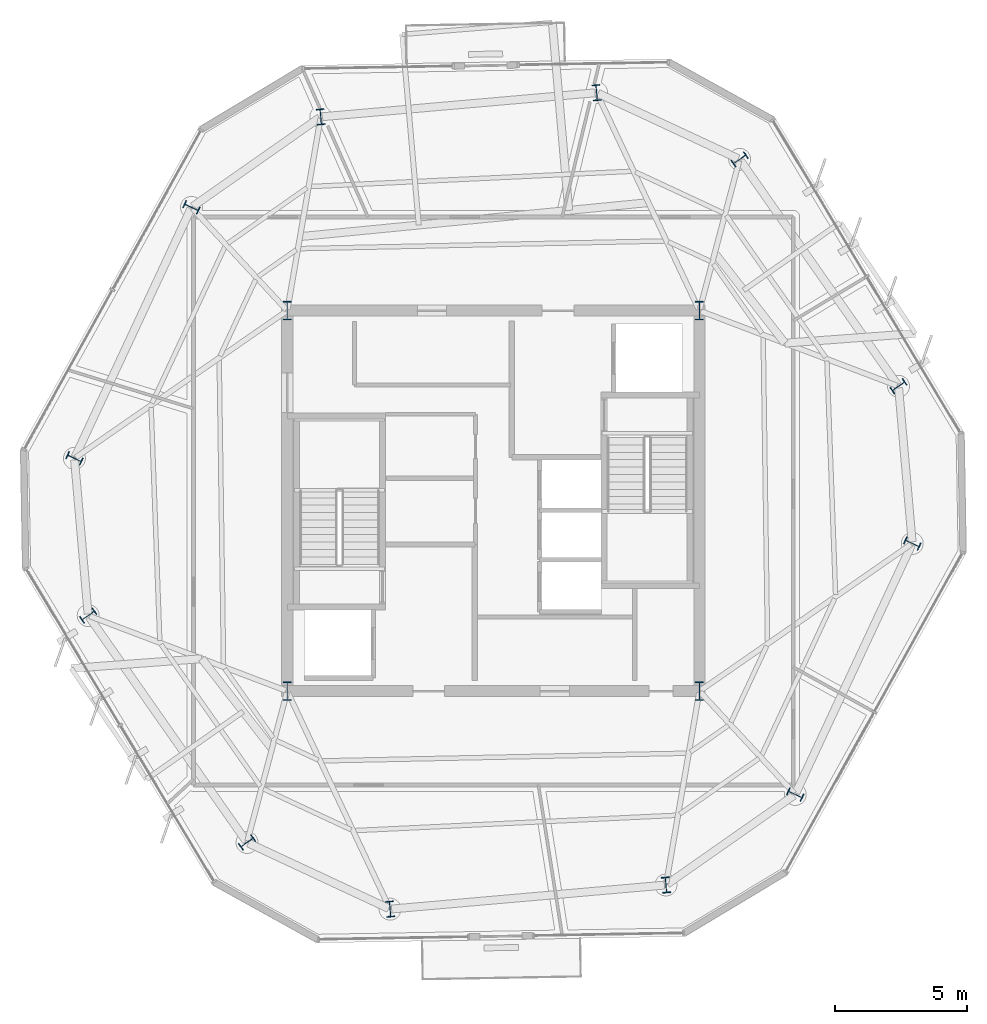
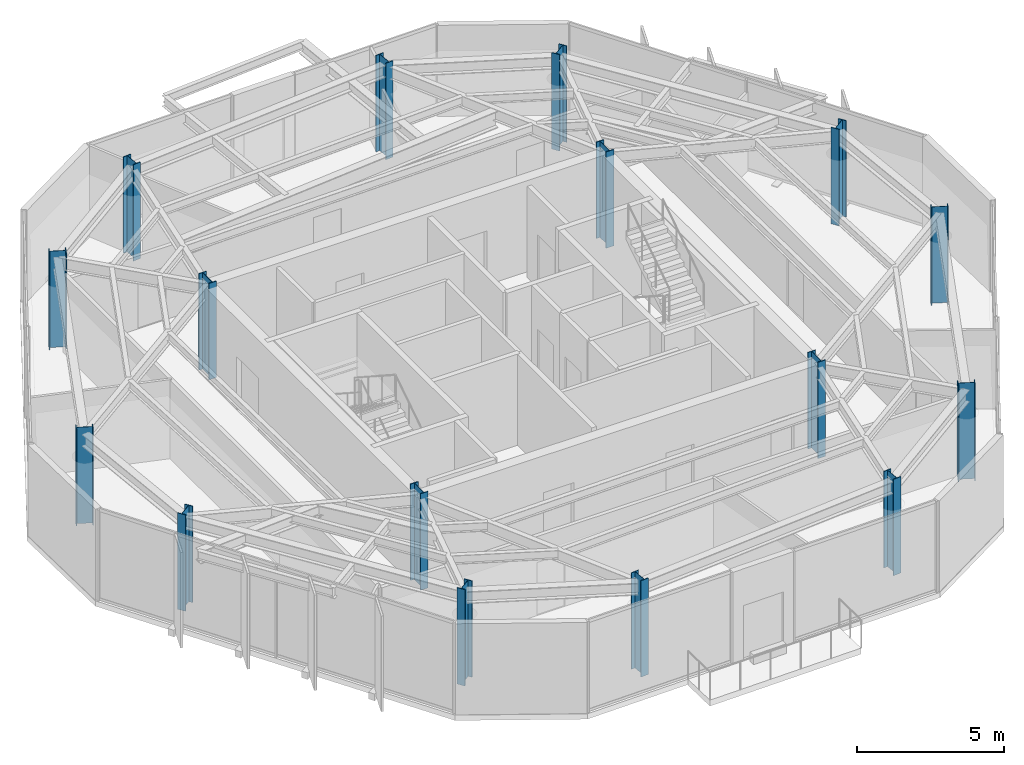
# One storey, part 1 of 12: 16 columns.
"""IFC4 building model written with IfcOpenShell, lengths in metres."""

from ifc_helpers import new_model, si_unit, direction, frame, origin, origin_2d, place, context, subcontext, project, spatial, i_section, extrude, material, material_profile, profile_set, type_object, element, save


model = new_model("IFC4")

# Units and contexts
model_context = context("Model", 3, precision=1e-05, world=origin(), true_north=direction((0.0, 1.0)))
body_context = subcontext(model_context, "Body", "Model", "MODEL_VIEW")
ifc_project = project(units=[si_unit("LENGTHUNIT", "METRE"), si_unit("AREAUNIT", "SQUARE_METRE"), si_unit("VOLUMEUNIT", "CUBIC_METRE"), si_unit("PLANEANGLEUNIT", "RADIAN"), si_unit("MASSUNIT", "GRAM", prefix="KILO")], contexts=[model_context])

# Site, building, storey
site_placement = place(None, origin())
site = spatial("IfcSite", under=ifc_project, at=site_placement, CompositionType="ELEMENT")
building_placement = place(site_placement, origin())
building = spatial("IfcBuilding", under=site, at=building_placement, Name="Kranzbogen Civic Tower", CompositionType="ELEMENT")
storey_placement = place(building_placement, frame((0.0, 0.0, 270.199951171875)))
storey = spatial("IfcBuildingStorey", under=building, at=storey_placement, Name="L65", CompositionType="ELEMENT", Elevation=270.199951171875)

# Columns
ifc_material = material(Name="Steel S355", Category="steel")
ifc_material_profile_1 = material_profile(ifc_material, i_section(OverallWidth=0.300048828125, OverallDepth=0.60009765625, WebThickness=0.015380859375, FlangeThickness=0.030029296875, at=origin_2d()), Name="HEB 600")
ifc_profile_set_1 = profile_set([ifc_material_profile_1], Name="Steel S355")
column_type_1 = type_object("IfcColumnType", Name="Structural Column HEB 600", PredefinedType="COLUMN", material=ifc_profile_set_1)
for number, where, z_axis, x_axis, name in (
    (1, (28.908935546875, 40.449951171875, 0.0), (0.0, 0.0, 1.0), (0.996194698092, 0.087155742748, 0.0), "L65 tower perimeter tube column 01"),
    (2, (18.467041015625, 39.535888671875, 0.0), (0.0, 0.0, 1.0), (0.996194698092, 0.087155742748, 0.0), "L65 tower perimeter tube column 02"),
    (3, (13.574951171875, 36.110107421875, 0.0), (0.0, 0.0, 1.0), (0.422618261741, 0.906307787037, 0.0), "L65 tower perimeter tube column 03"),
    (4, (9.14501953125, 26.610107421875, 0.0), (0.0, 0.0, 1.0), (0.422618261741, 0.906307787037, 0.0), "L65 tower perimeter tube column 04"),
    (5, (9.666015625, 20.660888671875, 0.0), (0.0, 0.0, 1.0), (-0.573576436351, 0.819152044289, 0.0), "L65 tower perimeter tube column 05"),
    (6, (15.677978515625, 12.073974609375, 0.0), (0.0, 0.0, 1.0), (-0.573576436351, 0.819152044289, 0.0), "L65 tower perimeter tube column 06"),
    (7, (21.091064453125, 9.550048828125, 0.0), (0.0, 0.0, 1.0), (0.996194698092, 0.087155742748, 0.0), "L65 tower perimeter tube column 07"),
    (8, (31.532958984375, 10.464111328125, 0.0), (0.0, 0.0, 1.0), (0.996194698092, 0.087155742748, 0.0), "L65 tower perimeter tube column 08"),
    (9, (36.425048828125, 13.889892578125, 0.0), (0.0, 0.0, 1.0), (0.422618261741, 0.906307787037, 0.0), "L65 tower perimeter tube column 09"),
    (10, (40.85498046875, 23.389892578125, 0.0), (0.0, 0.0, 1.0), (0.422618261741, 0.906307787037, 0.0), "L65 tower perimeter tube column 10"),
    (11, (40.333984375, 29.339111328125, 0.0), (0.0, 0.0, 1.0), (-0.573576436351, 0.819152044289, 0.0), "L65 tower perimeter tube column 11"),
    (12, (34.322021484375, 37.926025390625, 0.0), (0.0, 0.0, 1.0), (-0.573576436351, 0.819152044289, 0.0), "L65 tower perimeter tube column 12"),
):
    element("IfcColumn", number, at=place(storey_placement, frame(where, z_axis=z_axis, x_axis=x_axis)), inside=storey, type_object=column_type_1, Name=name, PredefinedType="COLUMN", context=body_context, shape_type="SweptSolid", body=[
        extrude(i_section(OverallWidth=0.300048828125, OverallDepth=0.60009765625, WebThickness=0.015380859375, FlangeThickness=0.030029296875, at=origin_2d()), origin(), (0.0, 0.0, 1.0), 4.0),
    ])
ifc_material_profile_2 = material_profile(ifc_material, i_section(OverallWidth=0.300048828125, OverallDepth=0.699951171875, WebThickness=0.01708984375, FlangeThickness=0.031982421875, at=origin_2d()), Name="HEB 700")
ifc_profile_set_2 = profile_set([ifc_material_profile_2], Name="Steel S355")
column_type_2 = type_object("IfcColumnType", Name="Structural Column HEB 700", PredefinedType="COLUMN", material=ifc_profile_set_2)
for number, where, z_axis, x_axis, name in (
    (13, (17.199951171875, 17.800048828125, 0.0), (0.0, 0.0, 1.0), (1.0, 0.0, 0.0), "L65 composite core corner column 1"),
    (14, (32.800048828125, 17.800048828125, 0.0), (0.0, 0.0, 1.0), (1.0, 0.0, 0.0), "L65 composite core corner column 2"),
    (15, (32.800048828125, 32.199951171875, 0.0), (0.0, 0.0, 1.0), (1.0, 0.0, 0.0), "L65 composite core corner column 3"),
    (16, (17.199951171875, 32.199951171875, 0.0), (0.0, 0.0, 1.0), (1.0, 0.0, 0.0), "L65 composite core corner column 4"),
):
    element("IfcColumn", number, at=place(storey_placement, frame(where, z_axis=z_axis, x_axis=x_axis)), inside=storey, type_object=column_type_2, Name=name, PredefinedType="COLUMN", context=body_context, shape_type="SweptSolid", body=[
        extrude(i_section(OverallWidth=0.300048828125, OverallDepth=0.699951171875, WebThickness=0.01708984375, FlangeThickness=0.031982421875, at=origin_2d()), origin(), (0.0, 0.0, 1.0), 4.0),
    ])

save(model, "model.ifc")
